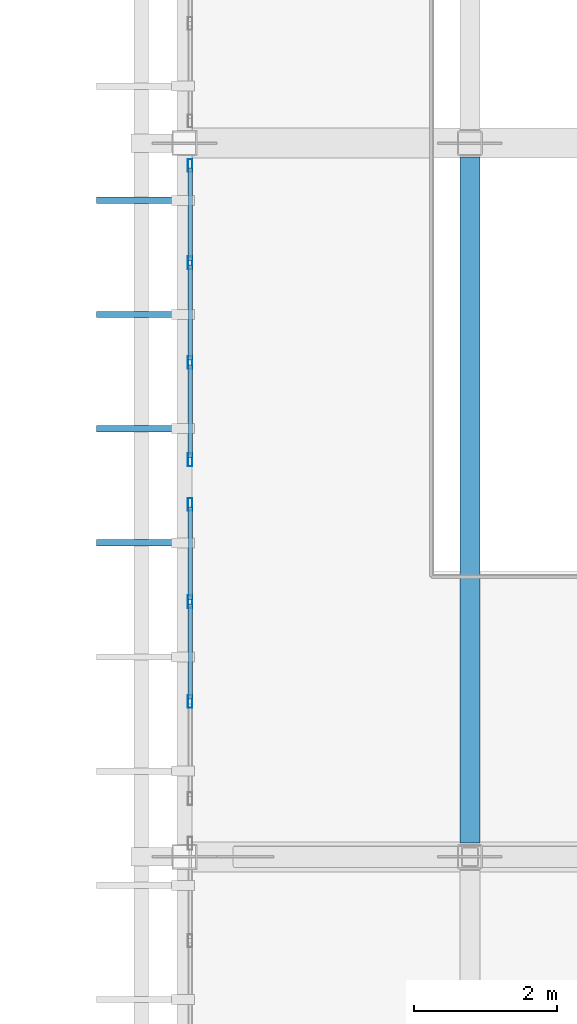
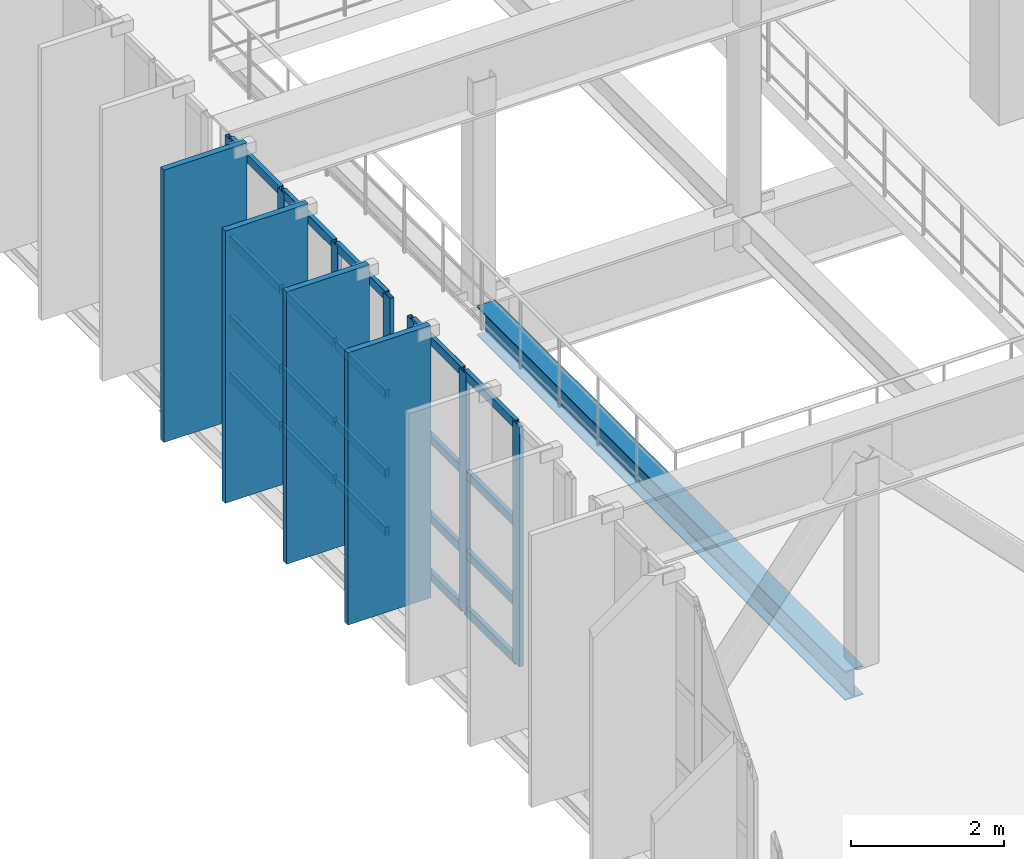
# One storey, part 35 of 130: 31 members, 1 beam, 2 elements without a shape of their own.
"""IFC4 building model written with IfcOpenShell, lengths in metres."""

from ifc_helpers import new_model, si_unit, direction, frame, origin, origin_2d, place, context, subcontext, project, spatial, rectangle, hollow_rectangle, i_section, extrude, material, material_profile, profile_set, type_object, element, aggregate, save


model = new_model("IFC4")

# Units and contexts
model_context = context("Model", 3, precision=1e-05, world=origin(), true_north=direction((0.0, 1.0)))
body_context = subcontext(model_context, "Body", "Model", "MODEL_VIEW")
ifc_project = project(units=[si_unit("LENGTHUNIT", "METRE"), si_unit("AREAUNIT", "SQUARE_METRE"), si_unit("VOLUMEUNIT", "CUBIC_METRE"), si_unit("PLANEANGLEUNIT", "RADIAN"), si_unit("MASSUNIT", "GRAM", prefix="KILO")], contexts=[model_context])

# Site, building, storey
site_placement = place(None, origin())
site = spatial("IfcSite", under=ifc_project, at=site_placement, CompositionType="ELEMENT")
building_placement = place(site_placement, origin())
building = spatial("IfcBuilding", under=site, at=building_placement, Name="Miravela Opera House", CompositionType="ELEMENT")
storey_placement = place(building_placement, frame((0.0, 0.0, 9.52001953125)))
storey = spatial("IfcBuildingStorey", under=building, at=storey_placement, Name="L02", CompositionType="ELEMENT", Elevation=9.52001953125)

# Curtain wall, members
ifc_material_1 = material(Name="Anodised architectural bronze aluminium 6063-T6", Category="aluminium")
curtain_wall_type = type_object("IfcCurtainWallType", Name="ARC-CW-02", PredefinedType="NOTDEFINED", material=ifc_material_1)
curtain_wall_1_placement = place(storey_placement, origin())
curtain_wall_1 = element("IfcCurtainWall", 1, at=curtain_wall_1_placement, inside=storey, type_object=curtain_wall_type, Name="Cantilever West Wrapper Glazing B3 CW-L02-009", PredefinedType="NOTDEFINED")
ifc_material_profile_1 = material_profile(ifc_material_1, hollow_rectangle(XDim=0.06494140625, YDim=0.179931640625, WallThickness=0.00390625, InnerFilletRadius=0.001953125, OuterFilletRadius=0.00390625, at=origin_2d()), Name="CWM-65X180")
ifc_profile_set_1 = profile_set([ifc_material_profile_1])
member_type_1 = type_object("IfcMemberType", Name="ARC-CWM-180", PredefinedType="MULLION", material=ifc_profile_set_1)
member_1_placement = place(storey_placement, frame((15.080078125, 48.1767578125, 0.0), z_axis=(0.0, 0.0, 1.0), x_axis=(-1.0, 0.0, 0.0)))
member_1 = element("IfcMember", 2, at=member_1_placement, type_object=member_type_1, Name="CW-02 mullion 2", PredefinedType="MULLION", context=body_context, shape_type="SweptSolid", body=[
    extrude(hollow_rectangle(XDim=0.06494140625, YDim=0.179931640625, WallThickness=0.00390625, InnerFilletRadius=0.001953125, OuterFilletRadius=0.00390625, at=origin_2d()), origin(), (0.0, 0.0, 1.0), 3.820068359375),
])
member_2_placement = place(storey_placement, frame((15.080078125, 49.5732421875, 0.0), z_axis=(0.0, 0.0, 1.0), x_axis=(-1.0, 0.0, 0.0)))
member_2 = element("IfcMember", 3, at=member_2_placement, type_object=member_type_1, Name="CW-02 mullion 3", PredefinedType="MULLION", context=body_context, shape_type="SweptSolid", body=[
    extrude(hollow_rectangle(XDim=0.06494140625, YDim=0.179931640625, WallThickness=0.00390625, InnerFilletRadius=0.001953125, OuterFilletRadius=0.00390625, at=origin_2d()), origin(), (0.0, 0.0, 1.0), 3.820068359375),
])
member_3_placement = place(storey_placement, frame((15.080078125, 50.9375, 0.0), z_axis=(0.0, 0.0, 1.0), x_axis=(-1.0, 0.0, 0.0)))
member_3 = element("IfcMember", 4, at=member_3_placement, type_object=member_type_1, Name="CW-02 mullion 4", PredefinedType="MULLION", context=body_context, shape_type="SweptSolid", body=[
    extrude(hollow_rectangle(XDim=0.06494140625, YDim=0.179931640625, WallThickness=0.00390625, InnerFilletRadius=0.001953125, OuterFilletRadius=0.00390625, at=origin_2d()), origin(), (0.0, 0.0, 1.0), 3.820068359375),
])

curtain_wall_2_placement = place(storey_placement, origin())
curtain_wall_2 = element("IfcCurtainWall", 5, at=curtain_wall_2_placement, inside=storey, type_object=curtain_wall_type, Name="Cantilever West Wrapper Glazing B4 CW-L02-010", PredefinedType="NOTDEFINED")
member_4_placement = place(storey_placement, frame((15.080078125, 51.5625, 0.0), z_axis=(0.0, 0.0, 1.0), x_axis=(-1.0, 0.0, 0.0)))
member_4 = element("IfcMember", 6, at=member_4_placement, type_object=member_type_1, Name="CW-02 mullion 1", PredefinedType="MULLION", context=body_context, shape_type="SweptSolid", body=[
    extrude(hollow_rectangle(XDim=0.06494140625, YDim=0.179931640625, WallThickness=0.00390625, InnerFilletRadius=0.001953125, OuterFilletRadius=0.00390625, at=origin_2d()), origin(), (0.0, 0.0, 1.0), 3.820068359375),
])
member_5_placement = place(storey_placement, frame((15.080078125, 52.9267578125, 0.0), z_axis=(0.0, 0.0, 1.0), x_axis=(-1.0, 0.0, 0.0)))
member_5 = element("IfcMember", 7, at=member_5_placement, type_object=member_type_1, Name="CW-02 mullion 2", PredefinedType="MULLION", context=body_context, shape_type="SweptSolid", body=[
    extrude(hollow_rectangle(XDim=0.06494140625, YDim=0.179931640625, WallThickness=0.00390625, InnerFilletRadius=0.001953125, OuterFilletRadius=0.00390625, at=origin_2d()), origin(), (0.0, 0.0, 1.0), 3.820068359375),
])
member_6_placement = place(storey_placement, frame((15.080078125, 54.3232421875, 0.0), z_axis=(0.0, 0.0, 1.0), x_axis=(-1.0, 0.0, 0.0)))
member_6 = element("IfcMember", 8, at=member_6_placement, type_object=member_type_1, Name="CW-02 mullion 3", PredefinedType="MULLION", context=body_context, shape_type="SweptSolid", body=[
    extrude(hollow_rectangle(XDim=0.06494140625, YDim=0.179931640625, WallThickness=0.00390625, InnerFilletRadius=0.001953125, OuterFilletRadius=0.00390625, at=origin_2d()), origin(), (0.0, 0.0, 1.0), 3.820068359375),
])
member_7_placement = place(storey_placement, frame((15.080078125, 55.6875, 0.0), z_axis=(0.0, 0.0, 1.0), x_axis=(-1.0, 0.0, 0.0)))
member_7 = element("IfcMember", 9, at=member_7_placement, type_object=member_type_1, Name="CW-02 mullion 4", PredefinedType="MULLION", context=body_context, shape_type="SweptSolid", body=[
    extrude(hollow_rectangle(XDim=0.06494140625, YDim=0.179931640625, WallThickness=0.00390625, InnerFilletRadius=0.001953125, OuterFilletRadius=0.00390625, at=origin_2d()), origin(), (0.0, 0.0, 1.0), 3.820068359375),
])

# Member
ifc_material_profile_2 = material_profile(ifc_material_1, hollow_rectangle(XDim=0.06494140625, YDim=0.139892578125, WallThickness=0.00390625, InnerFilletRadius=0.001953125, OuterFilletRadius=0.00390625, at=origin_2d()), Name="CWT-65X140")
ifc_profile_set_2 = profile_set([ifc_material_profile_2])
member_type_2 = type_object("IfcMemberType", Name="ARC-CWT-140", PredefinedType="USERDEFINED", material=ifc_profile_set_2)
member_8_placement = place(storey_placement, frame((15.080078125, 48.209228515625, 0.032470703125), z_axis=(0.0, 1.0, 0.0), x_axis=(-1.0, 0.0, 0.0)))
member_8 = element("IfcMember", 10, at=member_8_placement, type_object=member_type_2, Name="CW-02 transom 2.1", ObjectType="TRANSOM", PredefinedType="USERDEFINED", context=body_context, shape_type="SweptSolid", body=[
    extrude(hollow_rectangle(XDim=0.06494140625, YDim=0.139892578125, WallThickness=0.00390625, InnerFilletRadius=0.001953125, OuterFilletRadius=0.00390625, at=origin_2d()), origin(), (0.0, 0.0, 1.0), 1.33154296875),
])

member_9_placement = place(storey_placement, frame((15.080078125, 48.209228515625, 0.949951171875), z_axis=(0.0, 1.0, 0.0), x_axis=(-1.0, 0.0, 0.0)))
member_9 = element("IfcMember", 11, at=member_9_placement, type_object=member_type_2, Name="CW-02 transom 2.2", ObjectType="TRANSOM", PredefinedType="USERDEFINED", context=body_context, shape_type="SweptSolid", body=[
    extrude(hollow_rectangle(XDim=0.06494140625, YDim=0.139892578125, WallThickness=0.00390625, InnerFilletRadius=0.001953125, OuterFilletRadius=0.00390625, at=origin_2d()), origin(), (0.0, 0.0, 1.0), 1.33154296875),
])

member_10_placement = place(storey_placement, frame((15.080078125, 48.209228515625, 2.215576171875), z_axis=(0.0, 1.0, 0.0), x_axis=(-1.0, 0.0, 0.0)))
member_10 = element("IfcMember", 12, at=member_10_placement, type_object=member_type_2, Name="CW-02 transom 2.3", ObjectType="TRANSOM", PredefinedType="USERDEFINED", context=body_context, shape_type="SweptSolid", body=[
    extrude(hollow_rectangle(XDim=0.06494140625, YDim=0.139892578125, WallThickness=0.00390625, InnerFilletRadius=0.001953125, OuterFilletRadius=0.00390625, at=origin_2d()), origin(), (0.0, 0.0, 1.0), 1.33154296875),
])

member_11_placement = place(storey_placement, frame((15.080078125, 48.209228515625, 3.78759765625), z_axis=(0.0, 1.0, 0.0), x_axis=(-1.0, 0.0, 0.0)))
member_11 = element("IfcMember", 13, at=member_11_placement, type_object=member_type_2, Name="CW-02 transom 2.4", ObjectType="TRANSOM", PredefinedType="USERDEFINED", context=body_context, shape_type="SweptSolid", body=[
    extrude(hollow_rectangle(XDim=0.06494140625, YDim=0.139892578125, WallThickness=0.00390625, InnerFilletRadius=0.001953125, OuterFilletRadius=0.00390625, at=origin_2d()), origin(), (0.0, 0.0, 1.0), 1.33154296875),
])

member_12_placement = place(storey_placement, frame((15.080078125, 49.605712890625, 0.032470703125), z_axis=(0.0, 1.0, 0.0), x_axis=(-1.0, 0.0, 0.0)))
member_12 = element("IfcMember", 14, at=member_12_placement, type_object=member_type_2, Name="CW-02 transom 3.1", ObjectType="TRANSOM", PredefinedType="USERDEFINED", context=body_context, shape_type="SweptSolid", body=[
    extrude(hollow_rectangle(XDim=0.06494140625, YDim=0.139892578125, WallThickness=0.00390625, InnerFilletRadius=0.001953125, OuterFilletRadius=0.00390625, at=origin_2d()), origin(), (0.0, 0.0, 1.0), 1.29931640625),
])

member_13_placement = place(storey_placement, frame((15.080078125, 49.605712890625, 0.949951171875), z_axis=(0.0, 1.0, 0.0), x_axis=(-1.0, 0.0, 0.0)))
member_13 = element("IfcMember", 15, at=member_13_placement, type_object=member_type_2, Name="CW-02 transom 3.2", ObjectType="TRANSOM", PredefinedType="USERDEFINED", context=body_context, shape_type="SweptSolid", body=[
    extrude(hollow_rectangle(XDim=0.06494140625, YDim=0.139892578125, WallThickness=0.00390625, InnerFilletRadius=0.001953125, OuterFilletRadius=0.00390625, at=origin_2d()), origin(), (0.0, 0.0, 1.0), 1.29931640625),
])

member_14_placement = place(storey_placement, frame((15.080078125, 49.605712890625, 2.215576171875), z_axis=(0.0, 1.0, 0.0), x_axis=(-1.0, 0.0, 0.0)))
member_14 = element("IfcMember", 16, at=member_14_placement, type_object=member_type_2, Name="CW-02 transom 3.3", ObjectType="TRANSOM", PredefinedType="USERDEFINED", context=body_context, shape_type="SweptSolid", body=[
    extrude(hollow_rectangle(XDim=0.06494140625, YDim=0.139892578125, WallThickness=0.00390625, InnerFilletRadius=0.001953125, OuterFilletRadius=0.00390625, at=origin_2d()), origin(), (0.0, 0.0, 1.0), 1.29931640625),
])

member_15_placement = place(storey_placement, frame((15.080078125, 49.605712890625, 3.78759765625), z_axis=(0.0, 1.0, 0.0), x_axis=(-1.0, 0.0, 0.0)))
member_15 = element("IfcMember", 17, at=member_15_placement, type_object=member_type_2, Name="CW-02 transom 3.4", ObjectType="TRANSOM", PredefinedType="USERDEFINED", context=body_context, shape_type="SweptSolid", body=[
    extrude(hollow_rectangle(XDim=0.06494140625, YDim=0.139892578125, WallThickness=0.00390625, InnerFilletRadius=0.001953125, OuterFilletRadius=0.00390625, at=origin_2d()), origin(), (0.0, 0.0, 1.0), 1.29931640625),
])

aggregate(curtain_wall_1, [member_1, member_2, member_3, member_8, member_9, member_10, member_11, member_12, member_13, member_14, member_15])

member_16_placement = place(storey_placement, frame((15.080078125, 51.594970703125, 0.032470703125), z_axis=(0.0, 1.0, 0.0), x_axis=(-1.0, 0.0, 0.0)))
member_16 = element("IfcMember", 18, at=member_16_placement, type_object=member_type_2, Name="CW-02 transom 1.1", ObjectType="TRANSOM", PredefinedType="USERDEFINED", context=body_context, shape_type="SweptSolid", body=[
    extrude(hollow_rectangle(XDim=0.06494140625, YDim=0.139892578125, WallThickness=0.00390625, InnerFilletRadius=0.001953125, OuterFilletRadius=0.00390625, at=origin_2d()), origin(), (0.0, 0.0, 1.0), 1.29931640625),
])

member_17_placement = place(storey_placement, frame((15.080078125, 51.594970703125, 0.949951171875), z_axis=(0.0, 1.0, 0.0), x_axis=(-1.0, 0.0, 0.0)))
member_17 = element("IfcMember", 19, at=member_17_placement, type_object=member_type_2, Name="CW-02 transom 1.2", ObjectType="TRANSOM", PredefinedType="USERDEFINED", context=body_context, shape_type="SweptSolid", body=[
    extrude(hollow_rectangle(XDim=0.06494140625, YDim=0.139892578125, WallThickness=0.00390625, InnerFilletRadius=0.001953125, OuterFilletRadius=0.00390625, at=origin_2d()), origin(), (0.0, 0.0, 1.0), 1.29931640625),
])

member_18_placement = place(storey_placement, frame((15.080078125, 51.594970703125, 2.215576171875), z_axis=(0.0, 1.0, 0.0), x_axis=(-1.0, 0.0, 0.0)))
member_18 = element("IfcMember", 20, at=member_18_placement, type_object=member_type_2, Name="CW-02 transom 1.3", ObjectType="TRANSOM", PredefinedType="USERDEFINED", context=body_context, shape_type="SweptSolid", body=[
    extrude(hollow_rectangle(XDim=0.06494140625, YDim=0.139892578125, WallThickness=0.00390625, InnerFilletRadius=0.001953125, OuterFilletRadius=0.00390625, at=origin_2d()), origin(), (0.0, 0.0, 1.0), 1.29931640625),
])

member_19_placement = place(storey_placement, frame((15.080078125, 51.594970703125, 3.78759765625), z_axis=(0.0, 1.0, 0.0), x_axis=(-1.0, 0.0, 0.0)))
member_19 = element("IfcMember", 21, at=member_19_placement, type_object=member_type_2, Name="CW-02 transom 1.4", ObjectType="TRANSOM", PredefinedType="USERDEFINED", context=body_context, shape_type="SweptSolid", body=[
    extrude(hollow_rectangle(XDim=0.06494140625, YDim=0.139892578125, WallThickness=0.00390625, InnerFilletRadius=0.001953125, OuterFilletRadius=0.00390625, at=origin_2d()), origin(), (0.0, 0.0, 1.0), 1.29931640625),
])

member_20_placement = place(storey_placement, frame((15.080078125, 52.959228515625, 0.032470703125), z_axis=(0.0, 1.0, 0.0), x_axis=(-1.0, 0.0, 0.0)))
member_20 = element("IfcMember", 22, at=member_20_placement, type_object=member_type_2, Name="CW-02 transom 2.1", ObjectType="TRANSOM", PredefinedType="USERDEFINED", context=body_context, shape_type="SweptSolid", body=[
    extrude(hollow_rectangle(XDim=0.06494140625, YDim=0.139892578125, WallThickness=0.00390625, InnerFilletRadius=0.001953125, OuterFilletRadius=0.00390625, at=origin_2d()), origin(), (0.0, 0.0, 1.0), 1.33154296875),
])

member_21_placement = place(storey_placement, frame((15.080078125, 52.959228515625, 0.949951171875), z_axis=(0.0, 1.0, 0.0), x_axis=(-1.0, 0.0, 0.0)))
member_21 = element("IfcMember", 23, at=member_21_placement, type_object=member_type_2, Name="CW-02 transom 2.2", ObjectType="TRANSOM", PredefinedType="USERDEFINED", context=body_context, shape_type="SweptSolid", body=[
    extrude(hollow_rectangle(XDim=0.06494140625, YDim=0.139892578125, WallThickness=0.00390625, InnerFilletRadius=0.001953125, OuterFilletRadius=0.00390625, at=origin_2d()), origin(), (0.0, 0.0, 1.0), 1.33154296875),
])

member_22_placement = place(storey_placement, frame((15.080078125, 52.959228515625, 2.215576171875), z_axis=(0.0, 1.0, 0.0), x_axis=(-1.0, 0.0, 0.0)))
member_22 = element("IfcMember", 24, at=member_22_placement, type_object=member_type_2, Name="CW-02 transom 2.3", ObjectType="TRANSOM", PredefinedType="USERDEFINED", context=body_context, shape_type="SweptSolid", body=[
    extrude(hollow_rectangle(XDim=0.06494140625, YDim=0.139892578125, WallThickness=0.00390625, InnerFilletRadius=0.001953125, OuterFilletRadius=0.00390625, at=origin_2d()), origin(), (0.0, 0.0, 1.0), 1.33154296875),
])

member_23_placement = place(storey_placement, frame((15.080078125, 52.959228515625, 3.78759765625), z_axis=(0.0, 1.0, 0.0), x_axis=(-1.0, 0.0, 0.0)))
member_23 = element("IfcMember", 25, at=member_23_placement, type_object=member_type_2, Name="CW-02 transom 2.4", ObjectType="TRANSOM", PredefinedType="USERDEFINED", context=body_context, shape_type="SweptSolid", body=[
    extrude(hollow_rectangle(XDim=0.06494140625, YDim=0.139892578125, WallThickness=0.00390625, InnerFilletRadius=0.001953125, OuterFilletRadius=0.00390625, at=origin_2d()), origin(), (0.0, 0.0, 1.0), 1.33154296875),
])

member_24_placement = place(storey_placement, frame((15.080078125, 54.355712890625, 0.032470703125), z_axis=(0.0, 1.0, 0.0), x_axis=(-1.0, 0.0, 0.0)))
member_24 = element("IfcMember", 26, at=member_24_placement, type_object=member_type_2, Name="CW-02 transom 3.1", ObjectType="TRANSOM", PredefinedType="USERDEFINED", context=body_context, shape_type="SweptSolid", body=[
    extrude(hollow_rectangle(XDim=0.06494140625, YDim=0.139892578125, WallThickness=0.00390625, InnerFilletRadius=0.001953125, OuterFilletRadius=0.00390625, at=origin_2d()), origin(), (0.0, 0.0, 1.0), 1.29931640625),
])

member_25_placement = place(storey_placement, frame((15.080078125, 54.355712890625, 0.949951171875), z_axis=(0.0, 1.0, 0.0), x_axis=(-1.0, 0.0, 0.0)))
member_25 = element("IfcMember", 27, at=member_25_placement, type_object=member_type_2, Name="CW-02 transom 3.2", ObjectType="TRANSOM", PredefinedType="USERDEFINED", context=body_context, shape_type="SweptSolid", body=[
    extrude(hollow_rectangle(XDim=0.06494140625, YDim=0.139892578125, WallThickness=0.00390625, InnerFilletRadius=0.001953125, OuterFilletRadius=0.00390625, at=origin_2d()), origin(), (0.0, 0.0, 1.0), 1.29931640625),
])

member_26_placement = place(storey_placement, frame((15.080078125, 54.355712890625, 2.215576171875), z_axis=(0.0, 1.0, 0.0), x_axis=(-1.0, 0.0, 0.0)))
member_26 = element("IfcMember", 28, at=member_26_placement, type_object=member_type_2, Name="CW-02 transom 3.3", ObjectType="TRANSOM", PredefinedType="USERDEFINED", context=body_context, shape_type="SweptSolid", body=[
    extrude(hollow_rectangle(XDim=0.06494140625, YDim=0.139892578125, WallThickness=0.00390625, InnerFilletRadius=0.001953125, OuterFilletRadius=0.00390625, at=origin_2d()), origin(), (0.0, 0.0, 1.0), 1.29931640625),
])

member_27_placement = place(storey_placement, frame((15.080078125, 54.355712890625, 3.78759765625), z_axis=(0.0, 1.0, 0.0), x_axis=(-1.0, 0.0, 0.0)))
member_27 = element("IfcMember", 29, at=member_27_placement, type_object=member_type_2, Name="CW-02 transom 3.4", ObjectType="TRANSOM", PredefinedType="USERDEFINED", context=body_context, shape_type="SweptSolid", body=[
    extrude(hollow_rectangle(XDim=0.06494140625, YDim=0.139892578125, WallThickness=0.00390625, InnerFilletRadius=0.001953125, OuterFilletRadius=0.00390625, at=origin_2d()), origin(), (0.0, 0.0, 1.0), 1.29931640625),
])

aggregate(curtain_wall_2, [member_4, member_5, member_6, member_7, member_16, member_17, member_18, member_19, member_20, member_21, member_22, member_23, member_24, member_25, member_26, member_27])

# Members
ifc_material_profile_3 = material_profile(ifc_material_1, rectangle(XDim=0.090087890625, YDim=1.25, at=origin_2d()), Name="FIN-1250X90")
ifc_profile_set_3 = profile_set([ifc_material_profile_3])
member_type_3 = type_object("IfcMemberType", Name="ARC-FIN-1250", PredefinedType="USERDEFINED", material=ifc_profile_set_3)
for number, where, z_axis, x_axis, name in (
    (30, (14.39501953125, 50.39990234375, -0.260009765625), (0.0, 0.0, 1.0), (0.0, 1.0, 0.0), "Auditorium Wrapper Bronze Solar Fin FIN-L02-WEST-0009"),
    (31, (14.39501953125, 52.0, -0.260009765625), (0.0, 0.0, 1.0), (0.0, 1.0, 0.0), "Auditorium Wrapper Bronze Solar Fin FIN-L02-WEST-0010"),
    (32, (14.39501953125, 53.60009765625, -0.260009765625), (0.0, 0.0, 1.0), (0.0, 1.0, 0.0), "Auditorium Wrapper Bronze Solar Fin FIN-L02-WEST-0011"),
    (33, (14.39501953125, 55.199951171875, -0.260009765625), (0.0, 0.0, 1.0), (0.0, 1.0, 0.0), "Auditorium Wrapper Bronze Solar Fin FIN-L02-WEST-0012"),
):
    element("IfcMember", number, at=place(storey_placement, frame(where, z_axis=z_axis, x_axis=x_axis)), inside=storey, type_object=member_type_3, Name=name, ObjectType="FIN", PredefinedType="USERDEFINED", context=body_context, shape_type="SweptSolid", body=[
        extrude(rectangle(XDim=0.090087890625, YDim=1.25, at=origin_2d()), origin(), (0.0, 0.0, 1.0), 4.340087890625),
    ])

# Beam
ifc_material_2 = material(Name="Structural steel ASTM A992 Gr. 50", Category="steel")
ifc_material_profile_4 = material_profile(ifc_material_2, i_section(OverallWidth=0.280029296875, OverallDepth=0.462890625, WebThickness=0.0107421875, FlangeThickness=0.017333984375, FilletRadius=0.014892578125, at=origin_2d()), Name="W460X113")
ifc_profile_set_4 = profile_set([ifc_material_profile_4])
beam_type = type_object("IfcBeamType", Name="STR-BM-W460X113", PredefinedType="BEAM", material=ifc_profile_set_4)
beam_placement = place(storey_placement, frame((19.0, 46.195068359375, -0.491455078125), z_axis=(0.0, 1.0, 0.0), x_axis=(-1.0, 0.0, 0.0)))
element("IfcBeam", 34, at=beam_placement, inside=storey, type_object=beam_type, Name="Cantilever Overhang Beam L02 X=19", PredefinedType="BEAM", context=body_context, shape_type="SweptSolid", body=[
    extrude(i_section(OverallWidth=0.280029296875, OverallDepth=0.462890625, WebThickness=0.0107421875, FlangeThickness=0.017333984375, FilletRadius=0.014892578125, at=origin_2d()), origin(), (0.0, 0.0, 1.0), 9.60986328125),
])

save(model, "model.ifc")
